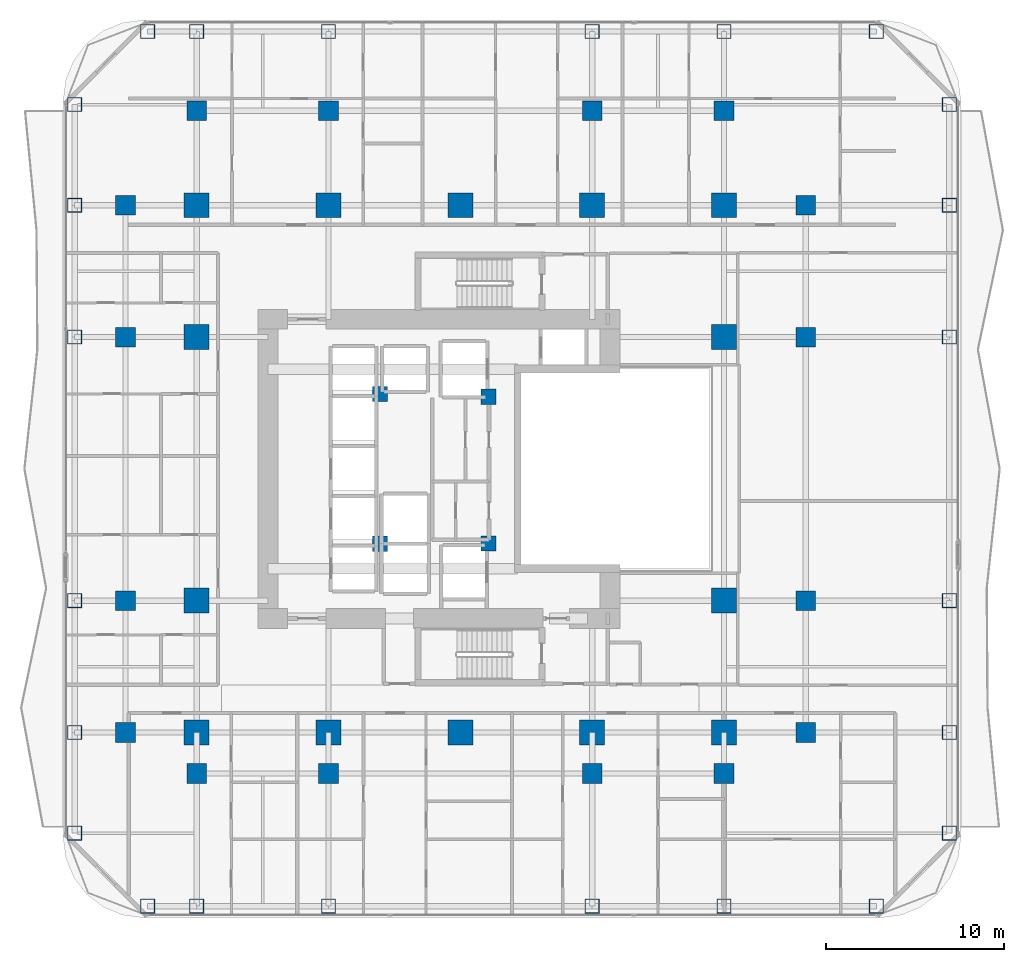
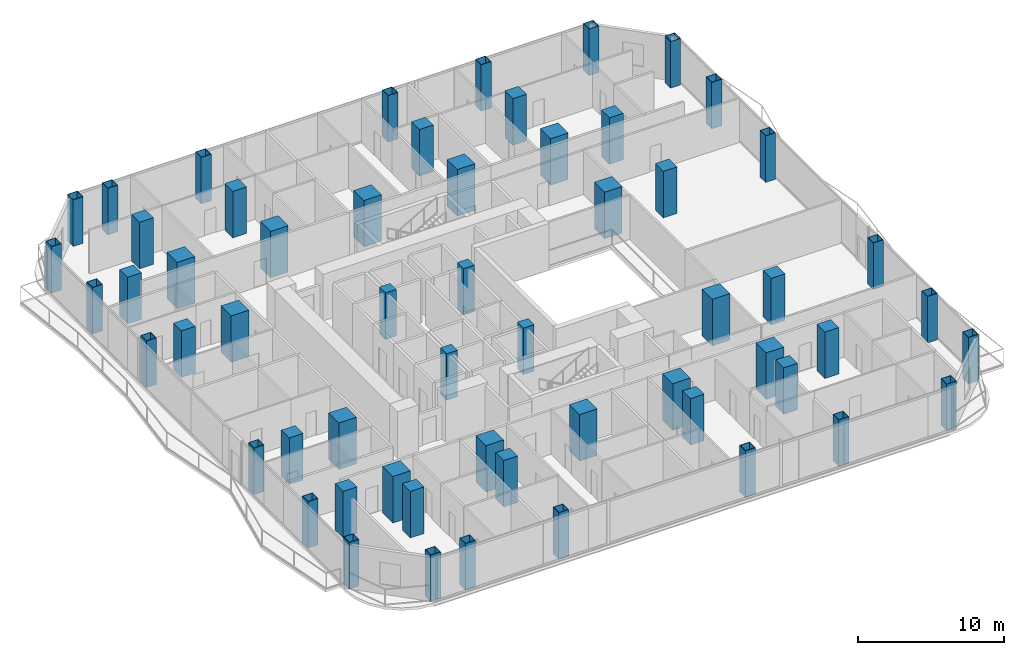
# One storey, part 1 of 28: 58 columns.
"""IFC4 building model written with IfcOpenShell, lengths in metres."""

import ifcopenshell
import ifcopenshell.guid

model = None  # the IFC model being written
_history = None  # IfcOwnerHistory: only IFC2X3 demands one
_inside = {}  # id of a spatial element -> (the spatial element, [elements in it])
_under = {}  # id of a project, library or spatial element -> (it, [spatial elements below it])
_declared = {}  # id of a project -> (the project, [libraries it declares])
_typed = {}  # id of a type object -> (the type object, [elements of that type])
_made_of = {}  # id of a material, layer set ... -> (it, [elements and type objects made of it])


def new_model(schema):
    """Start an empty IFC model of exactly this schema.

    Asked for "IFC4X3", IfcOpenShell would pick the latest addendum, in which some entities
    have other attributes; the version numbers below select the first issue.
    IFC2X3 requires an IfcOwnerHistory on every rooted entity: one is made here for all.
    """
    global model, _history
    if schema == "IFC4X3":
        model = ifcopenshell.file(schema_version=(4, 3, 0, 0))
    else:
        model = ifcopenshell.file(schema=schema)
    _inside.clear()
    _under.clear()
    _declared.clear()
    _typed.clear()
    _made_of.clear()
    _history = None
    if model.schema == "IFC2X3":
        org = make("IfcOrganization", Name="unknown")
        user = make(
            "IfcPersonAndOrganization",
            ThePerson=make("IfcPerson", FamilyName="unknown"),
            TheOrganization=org,
        )
        app = make(
            "IfcApplication",
            ApplicationDeveloper=org,
            Version="unknown",
            ApplicationFullName="unknown",
            ApplicationIdentifier="unknown",
        )
        _history = make(
            "IfcOwnerHistory",
            OwningUser=user,
            OwningApplication=app,
            ChangeAction="ADDED",
            CreationDate=0,
        )
    return model


def make(cls, **values):
    """One entity of the class cls with the attributes given. An attribute that is None is left unset."""
    return model.create_entity(
        cls, **{name: value for name, value in values.items() if value is not None}
    )


def rooted(cls, **values):
    """An entity with a GlobalId (a new one), such as an element, a storey or a relation."""
    return make(cls, GlobalId=ifcopenshell.guid.new(), OwnerHistory=_history, **values)


def si_unit(unit_type, name, prefix=None):
    """IfcSIUnit, for example si_unit("LENGTHUNIT", "METRE", prefix="MILLI")."""
    return make("IfcSIUnit", UnitType=unit_type, Prefix=prefix, Name=name)


def assignment(units):
    """IfcUnitAssignment: the units of a project."""
    return None if units is None else make("IfcUnitAssignment", Units=units)


def point(xyz):
    """IfcCartesianPoint."""
    return None if xyz is None else make("IfcCartesianPoint", Coordinates=xyz)


def direction(xyz):
    """IfcDirection."""
    return None if xyz is None else make("IfcDirection", DirectionRatios=xyz)


def frame(location, z_axis=None, x_axis=None):
    """IfcAxis2Placement3D, a coordinate frame: its origin and axes. An axis left out is left unset."""
    return make(
        "IfcAxis2Placement3D",
        Location=point(location),
        Axis=direction(z_axis),
        RefDirection=direction(x_axis),
    )


def frame_2d(location, x_axis=None):
    """IfcAxis2Placement2D, a coordinate frame in the plane: its origin and x axis."""
    return make(
        "IfcAxis2Placement2D", Location=point(location), RefDirection=direction(x_axis)
    )


def origin():
    """The frame at (0, 0, 0) with its axes left unset."""
    return frame((0.0, 0.0, 0.0))


def origin_2d():
    """The frame at (0, 0) in the plane with its x axis left unset."""
    return frame_2d((0.0, 0.0))


def place(relative_to, where):
    """IfcLocalPlacement: puts the frame where relative to a parent placement (None: the world)."""
    return make(
        "IfcLocalPlacement", PlacementRelTo=relative_to, RelativePlacement=where
    )


def context(
    kind, dimensions, precision=None, world=None, true_north=None, identifier=None
):
    """IfcGeometricRepresentationContext, for example the 3D "Model" context."""
    return make(
        "IfcGeometricRepresentationContext",
        ContextIdentifier=identifier,
        ContextType=kind,
        CoordinateSpaceDimension=dimensions,
        Precision=precision,
        WorldCoordinateSystem=world,
        TrueNorth=true_north,
    )


def subcontext(parent, identifier, kind, view, scale=None):
    """IfcGeometricRepresentationSubContext, for example "Body" below "Model"."""
    return make(
        "IfcGeometricRepresentationSubContext",
        ContextIdentifier=identifier,
        ContextType=kind,
        ParentContext=parent,
        TargetScale=scale,
        TargetView=view,
    )


def project(units=None, contexts=None):
    """IfcProject with its units and contexts."""
    return rooted(
        "IfcProject",
        Name="project",
        RepresentationContexts=contexts,
        UnitsInContext=assignment(units),
    )


def spatial(cls, under=None, at=None, **own):
    """A site, building, storey or space (cls), placed at a placement, below another one or the project."""
    s = rooted(cls, ObjectPlacement=at, **own)
    if under is not None:
        _under.setdefault(under.id(), (under, []))[1].append(s)
    return s


def profile(cls, at=None, kind="AREA", **sizes):
    """A parametric profile (cls). Its sizes go by their IFC names, for example OverallWidth=200.0."""
    return make(cls, ProfileType=kind, Position=at, **sizes)


def rectangle(**sizes):
    """IfcRectangleProfileDef."""
    return profile("IfcRectangleProfileDef", **sizes)


def hollow_rectangle(**sizes):
    """IfcRectangleHollowProfileDef."""
    return profile("IfcRectangleHollowProfileDef", **sizes)


def extrude(swept, where, along, depth):
    """IfcExtrudedAreaSolid: the profile swept, set in the frame where, extruded along a direction by depth."""
    return make(
        "IfcExtrudedAreaSolid",
        SweptArea=swept,
        Position=where,
        ExtrudedDirection=direction(along),
        Depth=depth,
    )


def shape(context_of_items, identifier, shape_type, items):
    """IfcShapeRepresentation: the items that make up one representation, for example the "Body"."""
    return make(
        "IfcShapeRepresentation",
        ContextOfItems=context_of_items,
        RepresentationIdentifier=identifier,
        RepresentationType=shape_type,
        Items=items,
    )


def material(Name=None, Category=None):
    """IfcMaterial."""
    return make("IfcMaterial", Name=Name, Category=Category)


def material_profile(
    of_material, cross_section, Name=None, Category=None, Priority=None
):
    """IfcMaterialProfile: a cross section and its material."""
    return make(
        "IfcMaterialProfile",
        Name=Name,
        Material=of_material,
        Profile=cross_section,
        Priority=Priority,
        Category=Category,
    )


def profile_set(profiles, Name=None, composite=None):
    """IfcMaterialProfileSet."""
    return make(
        "IfcMaterialProfileSet",
        Name=Name,
        MaterialProfiles=profiles,
        CompositeProfile=composite,
    )


def made_of(thing, what):
    """Note that an element or type object is made of a material, layer set ...; save() writes the relation."""
    if what is not None:
        _made_of.setdefault(what.id(), (what, []))[1].append(thing)
    return thing


def type_object(cls, material=None, **own):
    """A type object (cls), such as IfcWallType, which elements share."""
    return made_of(rooted(cls, **own), material)


def element(
    cls,
    number,
    at=None,
    inside=None,
    cuts=None,
    type_object=None,
    material=None,
    context=None,
    identifier="Body",
    shape_type=None,
    held_by="IfcProductDefinitionShape",
    body=None,
    shapes=None,
    **own,
):
    """One element of the class cls, such as IfcWall. Its Tag is "e" and its number.

    at: its placement. inside: the storey or other place that contains it. cuts: it is an
    opening in that element (IfcRelVoidsElement). A single representation is given by context,
    identifier, shape_type and body (its items); several are given by shapes. held_by: the class
    of the entity that holds the representations. save() writes the other relations.
    """
    e = rooted(cls, Tag="e%d" % number, ObjectPlacement=at, **own)
    if body is not None:
        shapes = [shape(context, identifier, shape_type, body)]
    if shapes is not None:
        e.Representation = make(held_by, Representations=shapes)
    if inside is not None:
        _inside.setdefault(inside.id(), (inside, []))[1].append(e)
    if cuts is not None:
        rooted(
            "IfcRelVoidsElement", RelatingBuildingElement=cuts, RelatedOpeningElement=e
        )
    if type_object is not None:
        _typed.setdefault(type_object.id(), (type_object, []))[1].append(e)
    return made_of(e, material)


def aggregate(whole, parts):
    """IfcRelAggregates: a whole, such as a stair, and the parts it consists of."""
    return rooted("IfcRelAggregates", RelatingObject=whole, RelatedObjects=parts)


def save(model, path):
    """Write the relations noted so far, then the file.

    IfcRelAggregates (storeys below a building ...), IfcRelContainedInSpatialStructure (elements
    in a storey), IfcRelDefinesByType, IfcRelAssociatesMaterial and IfcRelDeclares: one each for
    every whole, place, type object, material and project.
    """
    for whole, parts in _under.values():
        aggregate(whole, parts)
    for where, things in _inside.values():
        rooted(
            "IfcRelContainedInSpatialStructure",
            RelatedElements=things,
            RelatingStructure=where,
        )
    for kind, things in _typed.values():
        rooted("IfcRelDefinesByType", RelatedObjects=things, RelatingType=kind)
    for what, things in _made_of.values():
        rooted("IfcRelAssociatesMaterial", RelatedObjects=things, RelatingMaterial=what)
    for by, libraries in _declared.values():
        rooted("IfcRelDeclares", RelatingContext=by, RelatedDefinitions=libraries)
    model.write(path)


model = new_model("IFC4")

# Units and contexts
model_context = context("Model", 3, precision=1e-05, world=origin(), true_north=direction((0.0, 1.0)))
body_context = subcontext(model_context, "Body", "Model", "MODEL_VIEW")
ifc_project = project(units=[si_unit("LENGTHUNIT", "METRE"), si_unit("AREAUNIT", "SQUARE_METRE"), si_unit("VOLUMEUNIT", "CUBIC_METRE"), si_unit("PLANEANGLEUNIT", "RADIAN"), si_unit("MASSUNIT", "GRAM", prefix="KILO")], contexts=[model_context])

# Site, building, storey
site_placement = place(None, origin())
site = spatial("IfcSite", under=ifc_project, at=site_placement, CompositionType="ELEMENT")
building_placement = place(site_placement, origin())
building = spatial("IfcBuilding", under=site, at=building_placement, Name="Khorvyn Point Tower", CompositionType="ELEMENT")
storey_placement = place(building_placement, frame((0.0, 0.0, 34.5)))
storey = spatial("IfcBuildingStorey", under=building, at=storey_placement, Name="L09", CompositionType="ELEMENT", Elevation=34.5)

# Columns
ifc_material_1 = material(Name="Concrete C40/50", Category="concrete")
ifc_material_profile_1 = material_profile(ifc_material_1, rectangle(XDim=0.85009765625, YDim=0.85009765625, at=origin_2d()))
ifc_profile_set_1 = profile_set([ifc_material_profile_1], Name="Concrete C40/50 RC850x850")
column_type_1 = type_object("IfcColumnType", Name="Concrete C40/50 Column RC850x850", PredefinedType="COLUMN", material=ifc_profile_set_1)
for number, where, z_axis, x_axis, name in (
    (1, (-4.52001953125, -4.199951171875, 0.0), (0.0, 0.0, 1.0), (1.0, 0.0, 0.0), "L09 Crown Core Spine Column 1"),
    (2, (1.580078125, -4.179931640625, 0.0), (0.0, 0.0, 1.0), (1.0, 0.0, 0.0), "L09 Crown Core Spine Column 2"),
    (3, (1.580078125, 4.050048828125, 0.0), (0.0, 0.0, 1.0), (1.0, 0.0, 0.0), "L09 Crown Core Spine Column 3"),
    (4, (-4.52001953125, 4.199951171875, 0.0), (0.0, 0.0, 1.0), (1.0, 0.0, 0.0), "L09 Crown Core Spine Column 4"),
):
    element("IfcColumn", number, at=place(storey_placement, frame(where, z_axis=z_axis, x_axis=x_axis)), inside=storey, type_object=column_type_1, Name=name, PredefinedType="COLUMN", context=body_context, shape_type="SweptSolid", body=[
        extrude(rectangle(XDim=0.85009765625, YDim=0.85009765625, at=origin_2d()), origin(), (0.0, 0.0, 1.0), 3.89990234375),
    ])
ifc_material_2 = material(Name="Concrete C45/55", Category="concrete")
ifc_material_profile_2 = material_profile(ifc_material_2, rectangle(XDim=1.10009765625, YDim=1.10009765625, at=origin_2d()))
ifc_profile_set_2 = profile_set([ifc_material_profile_2], Name="Concrete C45/55 RC1100x1100")
column_type_2 = type_object("IfcColumnType", Name="Concrete C45/55 Column RC1100x1100", PredefinedType="COLUMN", material=ifc_profile_set_2)
for number, where, z_axis, x_axis, name in (
    (5, (-18.800048828125, -14.800048828125, 0.0), (0.0, 0.0, 1.0), (1.0, 0.0, 0.0), "L09 Intermediate Column ICW--14"),
    (6, (-18.800048828125, -7.39990234375, 0.0), (0.0, 0.0, 1.0), (1.0, 0.0, 0.0), "L09 Intermediate Column ICW--7"),
    (7, (-18.800048828125, 7.39990234375, 0.0), (0.0, 0.0, 1.0), (1.0, 0.0, 0.0), "L09 Intermediate Column ICW-7"),
    (8, (-18.800048828125, 14.800048828125, 0.0), (0.0, 0.0, 1.0), (1.0, 0.0, 0.0), "L09 Intermediate Column ICW-14"),
    (9, (19.39990234375, -14.800048828125, 0.0), (0.0, 0.0, 1.0), (1.0, 0.0, 0.0), "L09 Intermediate Column ICE--14"),
    (10, (19.39990234375, -7.39990234375, 0.0), (0.0, 0.0, 1.0), (1.0, 0.0, 0.0), "L09 Intermediate Column ICE--7"),
    (11, (19.39990234375, 7.39990234375, 0.0), (0.0, 0.0, 1.0), (1.0, 0.0, 0.0), "L09 Intermediate Column ICE-7"),
    (12, (19.39990234375, 14.800048828125, 0.0), (0.0, 0.0, 1.0), (1.0, 0.0, 0.0), "L09 Intermediate Column ICE-14"),
    (13, (-14.800048828125, -17.10009765625, 0.0), (0.0, 0.0, 1.0), (1.0, 0.0, 0.0), "L09 Intermediate Column ICS--14"),
    (14, (-7.39990234375, -17.10009765625, 0.0), (0.0, 0.0, 1.0), (1.0, 0.0, 0.0), "L09 Intermediate Column ICS--7"),
    (15, (7.39990234375, -17.10009765625, 0.0), (0.0, 0.0, 1.0), (1.0, 0.0, 0.0), "L09 Intermediate Column ICS-7"),
    (16, (14.800048828125, -17.10009765625, 0.0), (0.0, 0.0, 1.0), (1.0, 0.0, 0.0), "L09 Intermediate Column ICS-14"),
    (17, (-14.800048828125, 20.10009765625, 0.0), (0.0, 0.0, 1.0), (1.0, 0.0, 0.0), "L09 Intermediate Column ICN--14"),
    (18, (-7.39990234375, 20.10009765625, 0.0), (0.0, 0.0, 1.0), (1.0, 0.0, 0.0), "L09 Intermediate Column ICN--7"),
    (19, (7.39990234375, 20.10009765625, 0.0), (0.0, 0.0, 1.0), (1.0, 0.0, 0.0), "L09 Intermediate Column ICN-7"),
    (20, (14.800048828125, 20.10009765625, 0.0), (0.0, 0.0, 1.0), (1.0, 0.0, 0.0), "L09 Intermediate Column ICN-14"),
):
    element("IfcColumn", number, at=place(storey_placement, frame(where, z_axis=z_axis, x_axis=x_axis)), inside=storey, type_object=column_type_2, Name=name, PredefinedType="COLUMN", context=body_context, shape_type="SweptSolid", body=[
        extrude(rectangle(XDim=1.10009765625, YDim=1.10009765625, at=origin_2d()), origin(), (0.0, 0.0, 1.0), 3.89990234375),
    ])
ifc_material_3 = material(Name="Concrete C50/60", Category="concrete")
ifc_material_profile_3 = material_profile(ifc_material_3, rectangle(XDim=1.39990234375, YDim=1.39990234375, at=origin_2d()))
ifc_profile_set_3 = profile_set([ifc_material_profile_3], Name="Concrete C50/60 RC1400x1400")
column_type_3 = type_object("IfcColumnType", Name="Concrete C50/60 Column RC1400x1400", PredefinedType="COLUMN", material=ifc_profile_set_3)
for number, where, z_axis, x_axis, name in (
    (21, (-14.800048828125, -14.800048828125, 0.0), (0.0, 0.0, 1.0), (1.0, 0.0, 0.0), "L09 Mega-Column MC-01"),
    (22, (-7.39990234375, -14.800048828125, 0.0), (0.0, 0.0, 1.0), (1.0, 0.0, 0.0), "L09 Mega-Column MC-02"),
    (23, (0.0, -14.800048828125, 0.0), (0.0, 0.0, 1.0), (1.0, 0.0, 0.0), "L09 Mega-Column MC-03"),
    (24, (7.39990234375, -14.800048828125, 0.0), (0.0, 0.0, 1.0), (1.0, 0.0, 0.0), "L09 Mega-Column MC-04"),
    (25, (14.800048828125, -14.800048828125, 0.0), (0.0, 0.0, 1.0), (1.0, 0.0, 0.0), "L09 Mega-Column MC-05"),
    (26, (-14.800048828125, 14.800048828125, 0.0), (0.0, 0.0, 1.0), (1.0, 0.0, 0.0), "L09 Mega-Column MC-06"),
    (27, (-7.39990234375, 14.800048828125, 0.0), (0.0, 0.0, 1.0), (1.0, 0.0, 0.0), "L09 Mega-Column MC-07"),
    (28, (0.0, 14.800048828125, 0.0), (0.0, 0.0, 1.0), (1.0, 0.0, 0.0), "L09 Mega-Column MC-08"),
    (29, (7.39990234375, 14.800048828125, 0.0), (0.0, 0.0, 1.0), (1.0, 0.0, 0.0), "L09 Mega-Column MC-09"),
    (30, (14.800048828125, 14.800048828125, 0.0), (0.0, 0.0, 1.0), (1.0, 0.0, 0.0), "L09 Mega-Column MC-10"),
    (31, (-14.800048828125, -7.39990234375, 0.0), (0.0, 0.0, 1.0), (1.0, 0.0, 0.0), "L09 Mega-Column MC-11"),
    (32, (-14.800048828125, 7.39990234375, 0.0), (0.0, 0.0, 1.0), (1.0, 0.0, 0.0), "L09 Mega-Column MC-12"),
    (33, (14.800048828125, -7.39990234375, 0.0), (0.0, 0.0, 1.0), (1.0, 0.0, 0.0), "L09 Mega-Column MC-13"),
    (34, (14.800048828125, 7.39990234375, 0.0), (0.0, 0.0, 1.0), (1.0, 0.0, 0.0), "L09 Mega-Column MC-14"),
):
    element("IfcColumn", number, at=place(storey_placement, frame(where, z_axis=z_axis, x_axis=x_axis)), inside=storey, type_object=column_type_3, Name=name, PredefinedType="COLUMN", context=body_context, shape_type="SweptSolid", body=[
        extrude(rectangle(XDim=1.39990234375, YDim=1.39990234375, at=origin_2d()), origin(), (0.0, 0.0, 1.0), 3.89990234375),
    ])
ifc_material_4 = material(Name="Steel S450", Category="steel")
ifc_material_profile_4 = material_profile(ifc_material_4, hollow_rectangle(XDim=0.800048828125, YDim=0.800048828125, WallThickness=0.035888671875, at=origin_2d()))
ifc_profile_set_4 = profile_set([ifc_material_profile_4], Name="Steel S450 BOX800x800x36")
column_type_4 = type_object("IfcColumnType", Name="Steel S450 Structural Column BOX800x800x36", PredefinedType="COLUMN", material=ifc_profile_set_4)
for number, where, z_axis, x_axis, name in (
    (35, (-17.550048828125, -24.550048828125, 0.0), (0.0, 0.0, 1.0), (1.0, 0.0, 0.0), "L09 Perimeter Tube Column TC-01"),
    (36, (23.35009765625, -24.550048828125, 0.0), (0.0, 0.0, 1.0), (1.0, 0.0, 0.0), "L09 Perimeter Tube Column TC-02"),
    (37, (-17.550048828125, 24.550048828125, 0.0), (0.0, 0.0, 1.0), (1.0, 0.0, 0.0), "L09 Perimeter Tube Column TC-03"),
    (38, (23.35009765625, 24.550048828125, 0.0), (0.0, 0.0, 1.0), (1.0, 0.0, 0.0), "L09 Perimeter Tube Column TC-04"),
    (39, (-21.64990234375, -20.449951171875, 0.0), (0.0, 0.0, 1.0), (1.0, 0.0, 0.0), "L09 Perimeter Tube Column TC-05"),
    (40, (-21.64990234375, 20.449951171875, 0.0), (0.0, 0.0, 1.0), (1.0, 0.0, 0.0), "L09 Perimeter Tube Column TC-06"),
    (41, (27.449951171875, -20.449951171875, 0.0), (0.0, 0.0, 1.0), (1.0, 0.0, 0.0), "L09 Perimeter Tube Column TC-07"),
    (42, (27.449951171875, 20.449951171875, 0.0), (0.0, 0.0, 1.0), (1.0, 0.0, 0.0), "L09 Perimeter Tube Column TC-08"),
    (43, (-14.800048828125, -24.550048828125, 0.0), (0.0, 0.0, 1.0), (1.0, 0.0, 0.0), "L09 Perimeter Tube Column TC-09"),
    (44, (-14.800048828125, 24.550048828125, 0.0), (0.0, 0.0, 1.0), (1.0, 0.0, 0.0), "L09 Perimeter Tube Column TC-10"),
    (45, (-7.39990234375, -24.550048828125, 0.0), (0.0, 0.0, 1.0), (1.0, 0.0, 0.0), "L09 Perimeter Tube Column TC-11"),
    (46, (-7.39990234375, 24.550048828125, 0.0), (0.0, 0.0, 1.0), (1.0, 0.0, 0.0), "L09 Perimeter Tube Column TC-12"),
    (47, (7.39990234375, -24.550048828125, 0.0), (0.0, 0.0, 1.0), (1.0, 0.0, 0.0), "L09 Perimeter Tube Column TC-13"),
    (48, (7.39990234375, 24.550048828125, 0.0), (0.0, 0.0, 1.0), (1.0, 0.0, 0.0), "L09 Perimeter Tube Column TC-14"),
    (49, (14.800048828125, -24.550048828125, 0.0), (0.0, 0.0, 1.0), (1.0, 0.0, 0.0), "L09 Perimeter Tube Column TC-15"),
    (50, (14.800048828125, 24.550048828125, 0.0), (0.0, 0.0, 1.0), (1.0, 0.0, 0.0), "L09 Perimeter Tube Column TC-16"),
    (51, (-21.64990234375, -14.800048828125, 0.0), (0.0, 0.0, 1.0), (1.0, 0.0, 0.0), "L09 Perimeter Tube Column TC-17"),
    (52, (27.449951171875, -14.800048828125, 0.0), (0.0, 0.0, 1.0), (1.0, 0.0, 0.0), "L09 Perimeter Tube Column TC-18"),
    (53, (-21.64990234375, -7.39990234375, 0.0), (0.0, 0.0, 1.0), (1.0, 0.0, 0.0), "L09 Perimeter Tube Column TC-19"),
    (54, (27.449951171875, -7.39990234375, 0.0), (0.0, 0.0, 1.0), (1.0, 0.0, 0.0), "L09 Perimeter Tube Column TC-20"),
    (55, (-21.64990234375, 7.39990234375, 0.0), (0.0, 0.0, 1.0), (1.0, 0.0, 0.0), "L09 Perimeter Tube Column TC-21"),
    (56, (27.449951171875, 7.39990234375, 0.0), (0.0, 0.0, 1.0), (1.0, 0.0, 0.0), "L09 Perimeter Tube Column TC-22"),
    (57, (-21.64990234375, 14.800048828125, 0.0), (0.0, 0.0, 1.0), (1.0, 0.0, 0.0), "L09 Perimeter Tube Column TC-23"),
    (58, (27.449951171875, 14.800048828125, 0.0), (0.0, 0.0, 1.0), (1.0, 0.0, 0.0), "L09 Perimeter Tube Column TC-24"),
):
    element("IfcColumn", number, at=place(storey_placement, frame(where, z_axis=z_axis, x_axis=x_axis)), inside=storey, type_object=column_type_4, Name=name, PredefinedType="COLUMN", context=body_context, shape_type="SweptSolid", body=[
        extrude(hollow_rectangle(XDim=0.800048828125, YDim=0.800048828125, WallThickness=0.035888671875, at=origin_2d()), origin(), (0.0, 0.0, 1.0), 3.89990234375),
    ])

save(model, "model.ifc")
